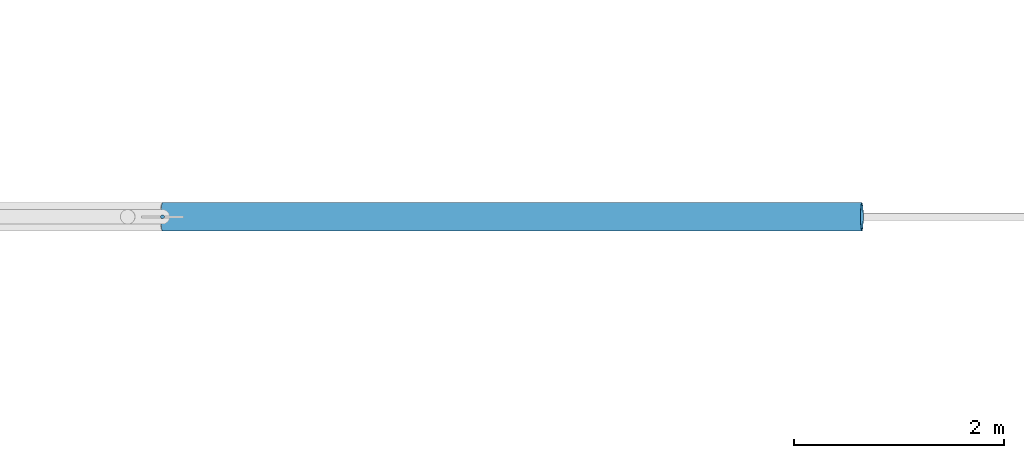
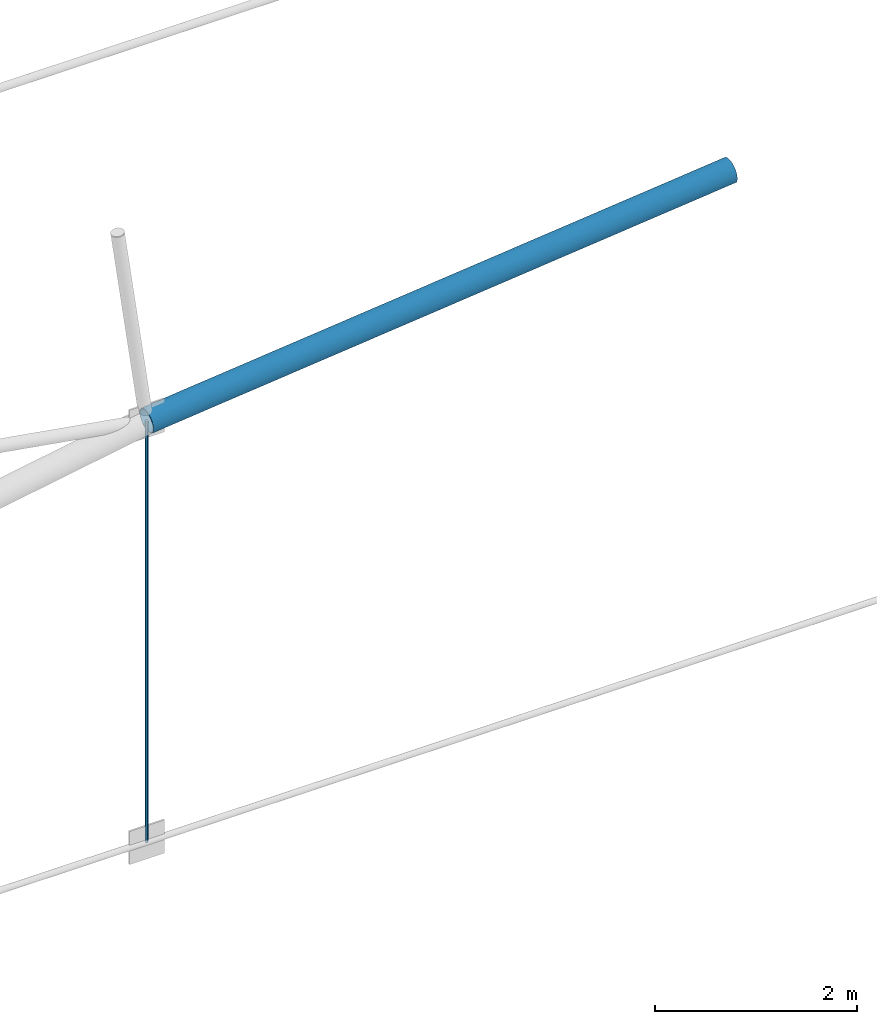
# One storey, part 80 of 321: 2 members.
"""IFC4 building model written with IfcOpenShell, lengths in metres."""

from ifc_helpers import new_model, si_unit, direction, frame, origin, origin_2d, place, context, subcontext, project, spatial, circle, hollow_circle, extrude, material, material_profile, profile_set, type_object, element, save


model = new_model("IFC4")

# Units and contexts
model_context = context("Model", 3, precision=1e-05, world=origin(), true_north=direction((0.0, 1.0)))
body_context = subcontext(model_context, "Body", "Model", "MODEL_VIEW")
ifc_project = project(units=[si_unit("LENGTHUNIT", "METRE"), si_unit("AREAUNIT", "SQUARE_METRE"), si_unit("VOLUMEUNIT", "CUBIC_METRE"), si_unit("PLANEANGLEUNIT", "RADIAN"), si_unit("MASSUNIT", "GRAM", prefix="KILO")], contexts=[model_context])

# Site, building, storey
site_placement = place(None, origin())
site = spatial("IfcSite", under=ifc_project, at=site_placement, CompositionType="ELEMENT")
building_placement = place(site_placement, origin())
building = spatial("IfcBuilding", under=site, at=building_placement, Name="Ravi Spectrum Wholesale Market", CompositionType="ELEMENT")
storey_placement = place(building_placement, frame((0.0, 0.0, 10.800048828125)))
storey = spatial("IfcBuildingStorey", under=building, at=storey_placement, Name="L02", CompositionType="ELEMENT", Elevation=10.800048828125)

# Members
ifc_material_1 = material(Name="Steel S355", Category="steel")
ifc_material_profile_1 = material_profile(ifc_material_1, hollow_circle(Radius=0.136474609375, WallThickness=0.010009765625, at=origin_2d()))
ifc_profile_set_1 = profile_set([ifc_material_profile_1], Name="Steel S355")
member_type_1 = type_object("IfcMemberType", Name="CHS 273x10 chord", PredefinedType="CHORD", material=ifc_profile_set_1)
member_1_placement = place(storey_placement, frame((56.648193359375, 114.0, 5.1025390625), z_axis=(0.994646786479, 0.0, 0.103333296414), x_axis=(0.0, 1.0, 0.0)))
element("IfcMember", 1, at=member_1_placement, inside=storey, type_object=member_type_1, Name="H1-MB-L02-614", PredefinedType="CHORD", context=body_context, shape_type="SweptSolid", body=[
    extrude(hollow_circle(Radius=0.136474609375, WallThickness=0.010009765625, at=origin_2d()), origin(), (0.0, 0.0, 1.0), 6.69580078125),
])
ifc_material_2 = material(Name="Steel S355", Category="steel")
ifc_material_profile_2 = material_profile(ifc_material_2, circle(Radius=0.01806640625, at=origin_2d()))
ifc_profile_set_2 = profile_set([ifc_material_profile_2], Name="Steel S355")
member_type_2 = type_object("IfcMemberType", Name="ROD 36 hanger", PredefinedType="STRUT", material=ifc_profile_set_2)
member_2_placement = place(storey_placement, frame((56.648193359375, 114.0, 0.023193359375), z_axis=(0.0, 0.0, 1.0), x_axis=(1.0, 0.0, 0.0)))
element("IfcMember", 2, at=member_2_placement, inside=storey, type_object=member_type_2, Name="H1-MB-L02-645", PredefinedType="STRUT", context=body_context, shape_type="SweptSolid", body=[
    extrude(circle(Radius=0.01806640625, at=origin_2d()), origin(), (0.0, 0.0, 1.0), 5.079345703125),
])

save(model, "model.ifc")
